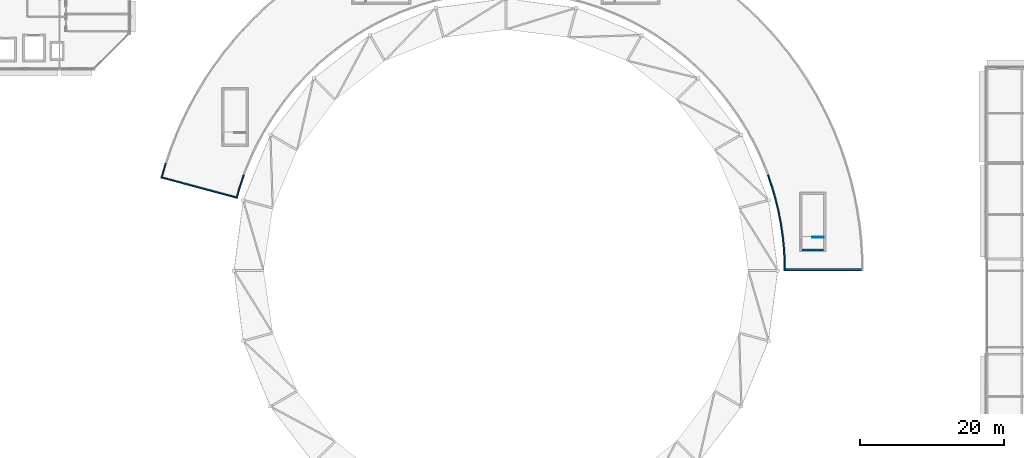
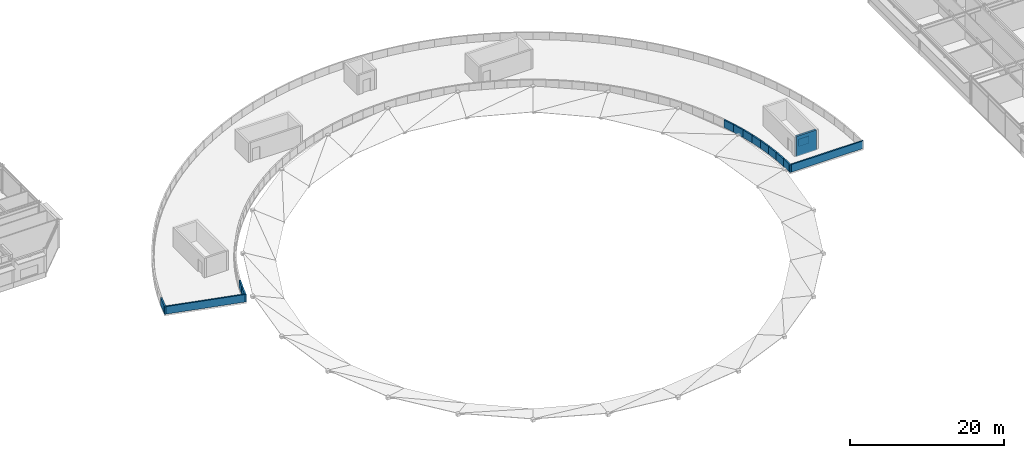
# One storey, part 30 of 50: 15 walls.
"""IFC4 building model written with IfcOpenShell, lengths in metres."""

from ifc_helpers import new_model, si_unit, direction, frame, frame_2d, origin, place, context, subcontext, project, spatial, rectangle, extrude, material, layer, layer_set, type_object, element, save


model = new_model("IFC4")

# Units and contexts
model_context = context("Model", 3, precision=1e-05, world=origin(), true_north=direction((0.0, 1.0)))
body_context = subcontext(model_context, "Body", "Model", "MODEL_VIEW")
ifc_project = project(units=[si_unit("LENGTHUNIT", "METRE"), si_unit("AREAUNIT", "SQUARE_METRE"), si_unit("VOLUMEUNIT", "CUBIC_METRE"), si_unit("PLANEANGLEUNIT", "RADIAN"), si_unit("MASSUNIT", "GRAM", prefix="KILO")], contexts=[model_context])

# Site, building, storey
site_placement = place(None, origin())
site = spatial("IfcSite", under=ifc_project, at=site_placement, CompositionType="ELEMENT")
building_placement = place(site_placement, origin())
building = spatial("IfcBuilding", under=site, at=building_placement, Name="Almandine Court Research Institute", CompositionType="ELEMENT")
storey_placement = place(building_placement, frame((0.0, 0.0, 23.449951171875)))
storey = spatial("IfcBuildingStorey", under=building, at=storey_placement, Name="L05", CompositionType="ELEMENT", Elevation=23.449951171875)

# Walls
ifc_material_1 = material(Name="Precast Concrete C40/50", Category="concrete")
ifc_layer_1 = layer(ifc_material_1, 0.2099609375)
ifc_layer_set_1 = layer_set([ifc_layer_1], Name="Precast Concrete C40/50")
wall_type_1 = type_object("IfcWallType", Name="Wall-PAR-210", PredefinedType="PARAPET", material=ifc_layer_set_1)
wall_1_placement = place(storey_placement, frame((39.89697265625, 70.85400390625, 0.0), z_axis=(0.0, 0.0, 1.0), x_axis=(-0.279735134219, -0.960077212876, 0.0)))
element("IfcWall", 1, at=wall_1_placement, inside=storey, type_object=wall_type_1, Name="L05 Roof Perimeter Parapet 078", PredefinedType="PARAPET", context=body_context, shape_type="SweptSolid", body=[
    extrude(rectangle(XDim=2.1591796875, YDim=0.2099609375, at=frame_2d((1.07958984375, 0.0))), origin(), (0.0, 0.0, 1.0), 1.199951171875),
])
wall_2_placement = place(storey_placement, frame((39.215087890625, 68.91796875, 0.0), z_axis=(0.0, 0.0, 1.0), x_axis=(0.965926652241, -0.258815962587, 0.0)))
element("IfcWall", 2, at=wall_2_placement, inside=storey, type_object=wall_type_1, Name="L05 Roof Perimeter Parapet 079", PredefinedType="PARAPET", context=body_context, shape_type="SweptSolid", body=[
    extrude(rectangle(XDim=10.999755859375, YDim=0.2099609375, at=frame_2d((5.5, 0.0))), origin(), (0.0, 0.0, 1.0), 1.199951171875),
])
wall_3_placement = place(storey_placement, frame((49.7060546875, 65.99609375, 0.0), z_axis=(0.0, 0.0, 1.0), x_axis=(0.27992182454, 0.960022797722, 0.0)))
element("IfcWall", 3, at=wall_3_placement, inside=storey, type_object=wall_type_1, Name="L05 Roof Perimeter Parapet 080", PredefinedType="PARAPET", context=body_context, shape_type="SweptSolid", body=[
    extrude(rectangle(XDim=1.678955078125, YDim=0.2099609375, at=frame_2d((0.83935546875, 0.0))), origin(), (0.0, 0.0, 1.0), 1.199951171875),
])
for number, where, z_axis, x_axis, name in (
    (4, (50.177978515625, 67.612060546875, 0.0), (0.0, 0.0, 1.0), (0.321454587383, 0.946924996106, 0.0), "L05 Roof Perimeter Parapet 081"),
    (5, (123.281982421875, 69.202880859375, 0.0), (0.0, 0.0, 1.0), (0.321454587383, -0.946924996106, 0.0), "L05 Roof Perimeter Parapet 138"),
):
    element("IfcWall", number, at=place(storey_placement, frame(where, z_axis=z_axis, x_axis=x_axis)), inside=storey, type_object=wall_type_1, Name=name, PredefinedType="PARAPET", context=body_context, shape_type="SweptSolid", body=[
        extrude(rectangle(XDim=1.679931640625, YDim=0.2099609375, at=frame_2d((0.83984375, 0.0))), origin(), (0.0, 0.0, 1.0), 1.199951171875),
    ])
wall_4_placement = place(storey_placement, frame((123.823974609375, 67.60791015625, 0.0), z_axis=(0.0, 0.0, 1.0), x_axis=(0.27992182454, -0.960022797722, 0.0)))
element("IfcWall", 6, at=wall_4_placement, inside=storey, type_object=wall_type_1, Name="L05 Roof Perimeter Parapet 139", PredefinedType="PARAPET", context=body_context, shape_type="SweptSolid", body=[
    extrude(rectangle(XDim=1.678955078125, YDim=0.2099609375, at=frame_2d((0.83935546875, 0.0))), origin(), (0.0, 0.0, 1.0), 1.199951171875),
])
for number, where, z_axis, x_axis, name in (
    (7, (124.294921875, 65.990966796875, 0.0), (0.0, 0.0, 1.0), (0.237574966717, -0.971369206424, 0.0), "L05 Roof Perimeter Parapet 140"),
    (8, (124.695068359375, 64.35400390625, 0.0), (0.0, 0.0, 1.0), (0.195138056048, -0.980775784306, 0.0), "L05 Roof Perimeter Parapet 141"),
):
    element("IfcWall", number, at=place(storey_placement, frame(where, z_axis=z_axis, x_axis=x_axis)), inside=storey, type_object=wall_type_1, Name=name, PredefinedType="PARAPET", context=body_context, shape_type="SweptSolid", body=[
        extrude(rectangle(XDim=1.68017578125, YDim=0.2099609375, at=frame_2d((0.840087890625, 0.0))), origin(), (0.0, 0.0, 1.0), 1.199951171875),
    ])
wall_5_placement = place(storey_placement, frame((125.02392578125, 62.701904296875, 0.0), z_axis=(0.0, 0.0, 1.0), x_axis=(0.152483168833, -0.988306067584, 0.0)))
element("IfcWall", 9, at=wall_5_placement, inside=storey, type_object=wall_type_1, Name="L05 Roof Perimeter Parapet 142", PredefinedType="PARAPET", context=body_context, shape_type="SweptSolid", body=[
    extrude(rectangle(XDim=1.679443359375, YDim=0.2099609375, at=frame_2d((0.83984375, 0.0))), origin(), (0.0, 0.0, 1.0), 1.199951171875),
])
wall_6_placement = place(storey_placement, frame((125.280029296875, 61.037109375, 0.0), z_axis=(0.0, 0.0, 1.0), x_axis=(0.108262121847, -0.994122383298, 0.0)))
element("IfcWall", 10, at=wall_6_placement, inside=storey, type_object=wall_type_1, Name="L05 Roof Perimeter Parapet 143", PredefinedType="PARAPET", context=body_context, shape_type="SweptSolid", body=[
    extrude(rectangle(XDim=1.679931640625, YDim=0.2099609375, at=frame_2d((0.83984375, 0.0))), origin(), (0.0, 0.0, 1.0), 1.199951171875),
])
wall_7_placement = place(storey_placement, frame((125.462890625, 59.362060546875, 0.0), z_axis=(0.0, 0.0, 1.0), x_axis=(0.06555424649, -0.997849006998, 0.0)))
element("IfcWall", 11, at=wall_7_placement, inside=storey, type_object=wall_type_1, Name="L05 Roof Perimeter Parapet 144", PredefinedType="PARAPET", context=body_context, shape_type="SweptSolid", body=[
    extrude(rectangle(XDim=1.6796875, YDim=0.2099609375, at=frame_2d((0.83984375, 0.0))), origin(), (0.0, 0.0, 1.0), 1.199951171875),
])
wall_8_placement = place(storey_placement, frame((125.572998046875, 57.680908203125, 0.0), z_axis=(0.0, 0.0, 1.0), x_axis=(0.022097264141, -0.999755825648, 0.0)))
element("IfcWall", 12, at=wall_8_placement, inside=storey, type_object=wall_type_1, Name="L05 Roof Perimeter Parapet 145", PredefinedType="PARAPET", context=body_context, shape_type="SweptSolid", body=[
    extrude(rectangle(XDim=1.679443359375, YDim=0.2099609375, at=frame_2d((0.83984375, 0.0))), origin(), (0.0, 0.0, 1.0), 1.199951171875),
])
wall_9_placement = place(storey_placement, frame((125.5, 56.110107421875, 0.0), z_axis=(0.0, 0.0, 1.0), x_axis=(1.0, 0.0, 0.0)))
element("IfcWall", 13, at=wall_9_placement, inside=storey, type_object=wall_type_1, Name="L05 Roof Perimeter Parapet 146", PredefinedType="PARAPET", context=body_context, shape_type="SweptSolid", body=[
    extrude(rectangle(XDim=11.0, YDim=0.2099609375, at=frame_2d((5.5, 0.0))), origin(), (0.0, 0.0, 1.0), 1.199951171875),
])
ifc_material_2 = material(Name="Lightweight Drywall Office Partition")
ifc_layer_2 = layer(ifc_material_2, 0.125)
ifc_layer_set_2 = layer_set([ifc_layer_2], Name="Lightweight Drywall Office Partition")
wall_type_2 = type_object("IfcWallType", Name="Wall-PART-125", PredefinedType="PARTITIONING", material=ifc_layer_set_2)
wall_10_placement = place(storey_placement, frame((131.0, 60.60009765625, 0.0), z_axis=(0.0, 0.0, 1.0), x_axis=(-1.0, 0.0, 0.0)))
element("IfcWall", 14, at=wall_10_placement, inside=storey, type_object=wall_type_2, Name="L05 ST-14 Penthouse Well Curb Wall 1", PredefinedType="PARTITIONING", context=body_context, shape_type="SweptSolid", body=[
    extrude(rectangle(XDim=1.580078125, YDim=0.125, at=frame_2d((0.7900390625, 0.0))), origin(), (0.0, 0.0, 1.0), 1.150146484375),
])
ifc_material_3 = material(Name="Concrete C40/50", Category="concrete")
ifc_layer_3 = layer(ifc_material_3, 0.300048828125)
ifc_layer_set_3 = layer_set([ifc_layer_3], Name="Concrete C40/50")
wall_type_3 = type_object("IfcWallType", Name="Wall-SW-CORE-300-E", PredefinedType="SHEAR", material=ifc_layer_set_3)
wall_11_placement = place(storey_placement, frame((131.0, 58.85009765625, 0.0), z_axis=(0.0, 0.0, 1.0), x_axis=(-1.0, 0.0, 0.0)))
element("IfcWall", 15, at=wall_11_placement, inside=storey, type_object=wall_type_3, Name="L05 ST-14 Penthouse S Shear Wall", PredefinedType="SHEAR", context=body_context, shape_type="SweptSolid", body=[
    extrude(rectangle(XDim=3.0, YDim=0.300048828125, at=frame_2d((1.5, 0.0))), origin(), (0.0, 0.0, 1.0), 3.199951171875),
])

save(model, "model.ifc")
